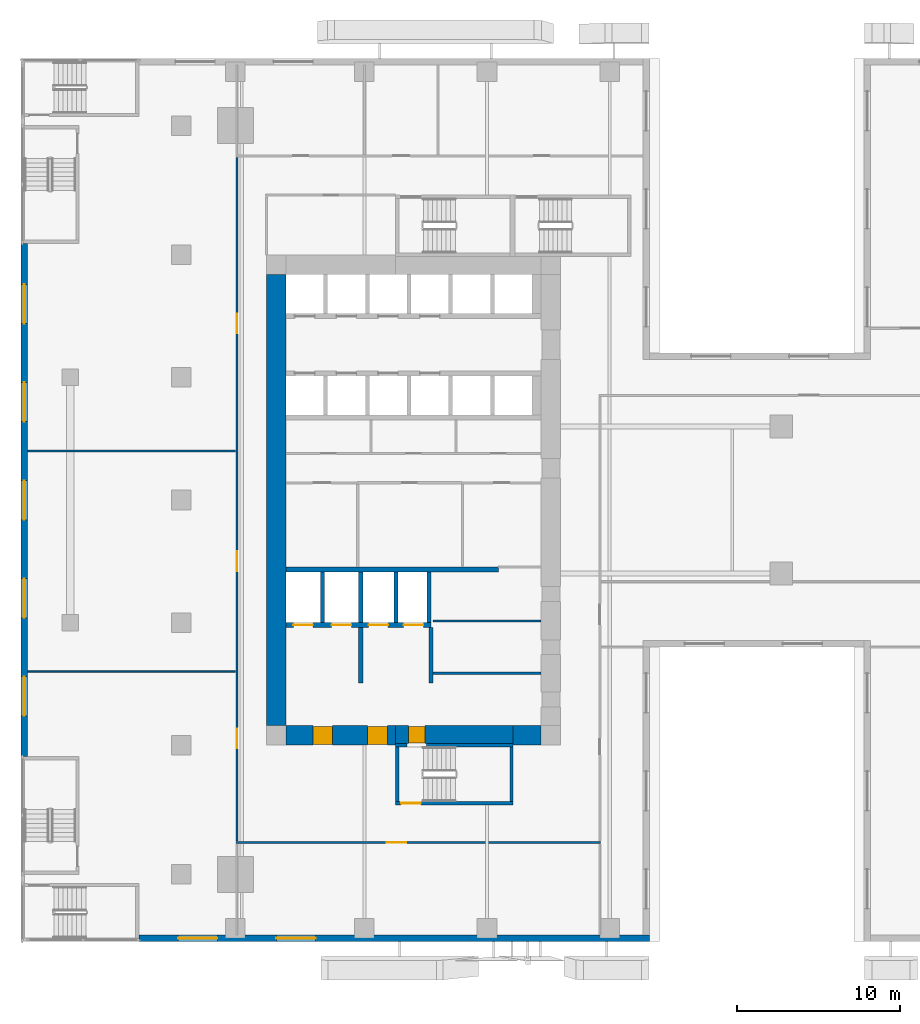
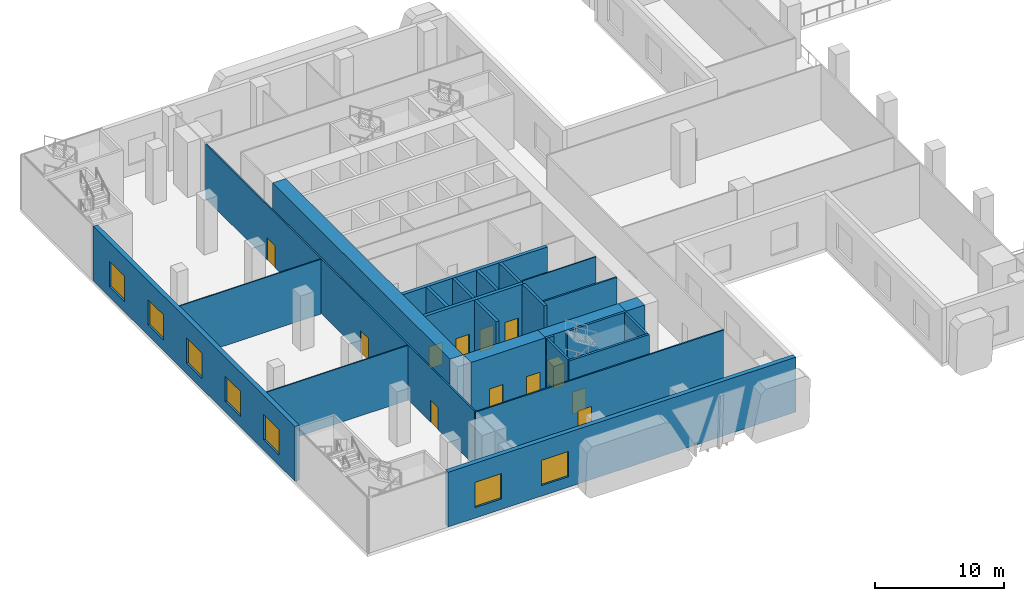
# One storey, part 10 of 23: 25 walls, 12 doors, 7 windows, 19 openings.
"""IFC4 building model written with IfcOpenShell, lengths in metres."""

from ifc_helpers import new_model, si_unit, direction, frame, frame_2d, origin, place, context, subcontext, project, spatial, rectangle, extrude, source, transform, mapped, material, layer, layer_set, type_object, element, fill, save


model = new_model("IFC4")

# Units and contexts
model_context = context("Model", 3, precision=1e-05, world=origin(), true_north=direction((0.0, 1.0)))
body_context = subcontext(model_context, "Body", "Model", "MODEL_VIEW")
ifc_project = project(units=[si_unit("LENGTHUNIT", "METRE"), si_unit("AREAUNIT", "SQUARE_METRE"), si_unit("VOLUMEUNIT", "CUBIC_METRE"), si_unit("PLANEANGLEUNIT", "RADIAN"), si_unit("MASSUNIT", "GRAM", prefix="KILO")], contexts=[model_context])

# Site, building, storey
site_placement = place(None, origin())
site = spatial("IfcSite", under=ifc_project, at=site_placement, CompositionType="ELEMENT")
building_placement = place(site_placement, origin())
building = spatial("IfcBuilding", under=site, at=building_placement, Name="Khomas Fold Tower", CompositionType="ELEMENT")
storey_placement = place(building_placement, frame((0.0, 0.0, 7.5)))
storey = spatial("IfcBuildingStorey", under=building, at=storey_placement, Name="L01", CompositionType="ELEMENT", Elevation=7.5)

# Wall, openings, doors
ifc_material_1 = material(Name="Concrete C70/85", Category="concrete")
ifc_layer_1 = layer(ifc_material_1, 1.199951171875)
ifc_layer_set_1 = layer_set([ifc_layer_1], Name="Concrete C70/85")
wall_type_1 = type_object("IfcWallType", Name="Core wall 1200", PredefinedType="SHEAR", material=ifc_layer_set_1)
shared_shape_1 = source(origin(), body_context, "Body", "SweptSolid", [
    extrude(rectangle(XDim=6.699951171875, YDim=1.199951171875, at=frame_2d((3.35009765625, 0.0))), origin(), (0.0, 0.0, 1.0), 5.199951171875),
])
wall_1_placement = place(storey_placement, frame((7.199951171875, 12.60009765625, 0.0), z_axis=(0.0, 0.0, 1.0), x_axis=(1.0, 0.0, 0.0)))
wall_1 = element("IfcWall", 1, at=wall_1_placement, inside=storey, type_object=wall_type_1, Name="Core wall CW-L-S-B2", PredefinedType="SHEAR", context=body_context, shape_type="MappedRepresentation", body=[
    mapped(shared_shape_1, transform((0.0, 0.0, 0.0))),
])
shared_shape_2 = source(origin(), body_context, "Body", "SweptSolid", [
    extrude(rectangle(XDim=1.199951171875, YDim=2.10009765625, at=frame_2d((0.60009765625, 1.050048828125))), frame((0.0, 0.60986328125, 0.0), z_axis=(0.0, -1.0, 0.0), x_axis=(1.0, 0.0, 0.0)), (0.0, 0.0, 1.0), 1.219970703125),
])
opening_1_placement = place(wall_1_placement, frame((5.0, 0.0, 0.0)))
opening_1 = element("IfcOpeningElement", 2, at=opening_1_placement, cuts=wall_1, Name="Opening 0009", PredefinedType="OPENING", context=body_context, shape_type="MappedRepresentation", body=[
    mapped(shared_shape_2, transform((0.0, 0.0, 0.0))),
])
opening_2_placement = place(wall_1_placement, frame((1.64990234375, 0.0, 0.0)))
opening_2 = element("IfcOpeningElement", 3, at=opening_2_placement, cuts=wall_1, Name="Opening 0009", PredefinedType="OPENING", context=body_context, shape_type="MappedRepresentation", body=[
    mapped(shared_shape_2, transform((0.0, 0.0, 0.0))),
])
ifc_material_2 = material(Name="Steel door leaf", Category="steel")
door_type_1 = type_object("IfcDoorType", Name="Lobby door 1200x2100 right-hand", OperationType="SINGLE_SWING_RIGHT", PredefinedType="DOOR", material=ifc_material_2)
shared_shape_3 = source(origin(), body_context, "Body", "SweptSolid", [
    extrude(rectangle(XDim=1.199951171875, YDim=2.10009765625, at=frame_2d((0.60009765625, 1.050048828125))), frame((0.0, 0.5498046875, 0.0), z_axis=(0.0, -1.0, 0.0), x_axis=(1.0, 0.0, 0.0)), (0.0, 0.0, 1.0), 1.099853515625),
])
door_1_placement = place(opening_1_placement, origin())
door_1 = element("IfcDoor", 4, at=door_1_placement, inside=storey, type_object=door_type_1, Name="Lobby door", OperationType="SINGLE_SWING_RIGHT", OverallHeight=2.10009765625, OverallWidth=1.199951171875, PredefinedType="DOOR", context=body_context, shape_type="MappedRepresentation", body=[
    mapped(shared_shape_3, transform((0.0, 0.0, 0.0))),
])
fill(opening_1, door_1)
door_2_placement = place(opening_2_placement, origin())
door_2 = element("IfcDoor", 5, at=door_2_placement, inside=storey, type_object=door_type_1, Name="Lobby door", OperationType="SINGLE_SWING_RIGHT", OverallHeight=2.10009765625, OverallWidth=1.199951171875, PredefinedType="DOOR", context=body_context, shape_type="MappedRepresentation", body=[
    mapped(shared_shape_3, transform((0.0, 0.0, 0.0))),
])
fill(opening_2, door_2)

# Wall, opening, door
ifc_material_3 = material(Name="Concrete C70/85", Category="concrete")
ifc_layer_2 = layer(ifc_material_3, 1.10009765625)
ifc_layer_set_2 = layer_set([ifc_layer_2], Name="Concrete C70/85")
wall_type_2 = type_object("IfcWallType", Name="Core wall 1100", PredefinedType="SHEAR", material=ifc_layer_set_2)
shared_shape_4 = source(origin(), body_context, "Body", "SweptSolid", [
    extrude(rectangle(XDim=7.2001953125, YDim=1.10009765625, at=frame_2d((3.60009765625, 0.0))), origin(), (0.0, 0.0, 1.0), 5.199951171875),
])
wall_2_placement = place(storey_placement, frame((13.89990234375, 12.64990234375, 0.0), z_axis=(0.0, 0.0, 1.0), x_axis=(1.0, 0.0, 0.0)))
wall_2 = element("IfcWall", 6, at=wall_2_placement, inside=storey, type_object=wall_type_2, Name="Core wall CW-L-S-B2-1", PredefinedType="SHEAR", context=body_context, shape_type="MappedRepresentation", body=[
    mapped(shared_shape_4, transform((0.0, 0.0, 0.0))),
])
shared_shape_5 = source(origin(), body_context, "Body", "SweptSolid", [
    extrude(rectangle(XDim=1.0, YDim=2.10009765625, at=frame_2d((0.5, 1.050048828125))), frame((0.0, 0.56005859375, 0.0), z_axis=(0.0, -1.0, 0.0), x_axis=(1.0, 0.0, 0.0)), (0.0, 0.0, 1.0), 1.1201171875),
])
opening_3_placement = place(wall_2_placement, frame((0.800048828125, 0.0, 0.0)))
opening_3 = element("IfcOpeningElement", 7, at=opening_3_placement, cuts=wall_2, Name="Opening 0010", PredefinedType="OPENING", context=body_context, shape_type="MappedRepresentation", body=[
    mapped(shared_shape_5, transform((0.0, 0.0, 0.0))),
])
ifc_material_4 = material(Name="Steel door leaf", Category="steel")
door_type_2 = type_object("IfcDoorType", Name="Stair door 1000x2100 right-hand", OperationType="SINGLE_SWING_RIGHT", PredefinedType="DOOR", material=ifc_material_4)
shared_shape_6 = source(origin(), body_context, "Body", "SweptSolid", [
    extrude(rectangle(XDim=1.0, YDim=2.10009765625, at=frame_2d((0.5, 1.050048828125))), frame((0.0, 0.5, 0.0), z_axis=(0.0, -1.0, 0.0), x_axis=(1.0, 0.0, 0.0)), (0.0, 0.0, 1.0), 1.0),
])
door_3_placement = place(opening_3_placement, origin())
door_3 = element("IfcDoor", 8, at=door_3_placement, inside=storey, type_object=door_type_2, Name="Stair door", OperationType="SINGLE_SWING_RIGHT", OverallHeight=2.10009765625, OverallWidth=1.0, PredefinedType="DOOR", context=body_context, shape_type="MappedRepresentation", body=[
    mapped(shared_shape_6, transform((0.0, 0.0, 0.0))),
])
fill(opening_3, door_3)

# Walls
shared_shape_7 = source(origin(), body_context, "Body", "SweptSolid", [
    extrude(rectangle(XDim=1.699951171875, YDim=1.199951171875, at=frame_2d((0.85009765625, 0.0))), origin(), (0.0, 0.0, 1.0), 5.199951171875),
])
wall_3_placement = place(storey_placement, frame((21.10009765625, 12.60009765625, 0.0), z_axis=(0.0, 0.0, 1.0), x_axis=(1.0, 0.0, 0.0)))
element("IfcWall", 9, at=wall_3_placement, inside=storey, type_object=wall_type_1, Name="Core wall CW-L-S-B2-2", PredefinedType="SHEAR", context=body_context, shape_type="MappedRepresentation", body=[
    mapped(shared_shape_7, transform((0.0, 0.0, 0.0))),
])
shared_shape_8 = source(origin(), body_context, "Body", "SweptSolid", [
    extrude(rectangle(XDim=27.60009765625, YDim=1.199951171875, at=frame_2d((13.800048828125, 0.0))), origin(), (0.0, 0.0, 1.0), 5.199951171875),
])
wall_4_placement = place(storey_placement, frame((6.60009765625, 13.199951171875, 0.0), z_axis=(0.0, 0.0, 1.0), x_axis=(0.0, 1.0, 0.0)))
element("IfcWall", 10, at=wall_4_placement, inside=storey, type_object=wall_type_1, Name="Core wall CW-L-W-B2", PredefinedType="SHEAR", context=body_context, shape_type="MappedRepresentation", body=[
    mapped(shared_shape_8, transform((0.0, 0.0, 0.0))),
])
ifc_material_5 = material(Name="Concrete C50/60", Category="concrete")
ifc_layer_3 = layer(ifc_material_5, 0.199951171875)
ifc_layer_set_3 = layer_set([ifc_layer_3], Name="Concrete C50/60")
wall_type_3 = type_object("IfcWallType", Name="Stair wall 200", PredefinedType="SHEAR", material=ifc_layer_set_3)
shared_shape_9 = source(origin(), body_context, "Body", "SweptSolid", [
    extrude(rectangle(XDim=0.7001953125, YDim=0.199951171875, at=frame_2d((0.35009765625, 0.0))), origin(), (0.0, 0.0, 1.0), 5.199951171875),
])
wall_5_placement = place(storey_placement, frame((13.89990234375, 12.0, 0.0), z_axis=(0.0, 0.0, 1.0), x_axis=(1.0, 0.0, 0.0)))
element("IfcWall", 11, at=wall_5_placement, inside=storey, type_object=wall_type_3, Name="Stair wall SW-ST2-N", PredefinedType="SHEAR", context=body_context, shape_type="MappedRepresentation", body=[
    mapped(shared_shape_9, transform((0.0, 0.0, 0.0))),
])
shared_shape_10 = source(origin(), body_context, "Body", "SweptSolid", [
    extrude(rectangle(XDim=5.300048828125, YDim=0.199951171875, at=frame_2d((2.64990234375, 0.0))), origin(), (0.0, 0.0, 1.0), 5.199951171875),
])
wall_6_placement = place(storey_placement, frame((15.800048828125, 12.0, 0.0), z_axis=(0.0, 0.0, 1.0), x_axis=(1.0, 0.0, 0.0)))
element("IfcWall", 12, at=wall_6_placement, inside=storey, type_object=wall_type_3, Name="Stair wall SW-ST2-NB", PredefinedType="SHEAR", context=body_context, shape_type="MappedRepresentation", body=[
    mapped(shared_shape_10, transform((0.0, 0.0, 0.0))),
])

# Wall, opening, door
shared_shape_11 = source(origin(), body_context, "Body", "SweptSolid", [
    extrude(rectangle(XDim=7.2001953125, YDim=0.199951171875, at=frame_2d((3.60009765625, 0.0))), origin(), (0.0, 0.0, 1.0), 5.199951171875),
])
wall_7_placement = place(storey_placement, frame((13.89990234375, 8.449951171875, 0.0), z_axis=(0.0, 0.0, 1.0), x_axis=(1.0, 0.0, 0.0)))
wall_7 = element("IfcWall", 13, at=wall_7_placement, inside=storey, type_object=wall_type_3, Name="Stair wall SW-ST2-S", PredefinedType="SHEAR", context=body_context, shape_type="MappedRepresentation", body=[
    mapped(shared_shape_11, transform((0.0, 0.0, 0.0))),
])
shared_shape_12 = source(origin(), body_context, "Body", "SweptSolid", [
    extrude(rectangle(XDim=1.199951171875, YDim=2.10009765625, at=frame_2d((0.60009765625, 1.050048828125))), frame((0.0, 0.10986328125, 0.0), z_axis=(0.0, -1.0, 0.0), x_axis=(1.0, 0.0, 0.0)), (0.0, 0.0, 1.0), 0.219970703125),
])
opening_4_placement = place(wall_7_placement, frame((0.35009765625, 0.0, 0.0)))
opening_4 = element("IfcOpeningElement", 14, at=opening_4_placement, cuts=wall_7, Name="Opening SD-ST2", PredefinedType="OPENING", context=body_context, shape_type="MappedRepresentation", body=[
    mapped(shared_shape_12, transform((0.0, 0.0, 0.0))),
])
ifc_material_6 = material(Name="Steel door leaf", Category="steel")
door_type_3 = type_object("IfcDoorType", Name="Stair door 1200x2100 right-hand", OperationType="SINGLE_SWING_RIGHT", PredefinedType="DOOR", material=ifc_material_6)
shared_shape_13 = source(origin(), body_context, "Body", "SweptSolid", [
    extrude(rectangle(XDim=1.199951171875, YDim=2.10009765625, at=frame_2d((0.60009765625, 1.050048828125))), frame((0.0, 0.02490234375, 0.0), z_axis=(0.0, -1.0, 0.0), x_axis=(1.0, 0.0, 0.0)), (0.0, 0.0, 1.0), 0.050048828125),
])
door_4_placement = place(opening_4_placement, origin())
door_4 = element("IfcDoor", 15, at=door_4_placement, inside=storey, type_object=door_type_3, Name="Stair door", OperationType="SINGLE_SWING_RIGHT", OverallHeight=2.10009765625, OverallWidth=1.199951171875, PredefinedType="DOOR", context=body_context, shape_type="MappedRepresentation", body=[
    mapped(shared_shape_13, transform((0.0, 0.0, 0.0))),
])
fill(opening_4, door_4)

# Walls
shared_shape_14 = source(origin(), body_context, "Body", "SweptSolid", [
    extrude(rectangle(XDim=3.349853515625, YDim=0.199951171875, at=frame_2d((1.6748046875, 0.0))), origin(), (0.0, 0.0, 1.0), 5.199951171875),
])
for number, where, z_axis, x_axis, name in (
    (16, (21.0, 8.550048828125, 0.0), (0.0, 0.0, 1.0), (0.0, 1.0, 0.0), "Stair wall SW-ST2-E"),
    (17, (14.0, 8.550048828125, 0.0), (0.0, 0.0, 1.0), (0.0, 1.0, 0.0), "Stair wall SW-ST2-W"),
):
    element("IfcWall", number, at=place(storey_placement, frame(where, z_axis=z_axis, x_axis=x_axis)), inside=storey, type_object=wall_type_3, Name=name, PredefinedType="SHEAR", context=body_context, shape_type="MappedRepresentation", body=[
        mapped(shared_shape_14, transform((0.0, 0.0, 0.0))),
    ])
ifc_material_7 = material(Name="Concrete C50/60", Category="concrete")
ifc_layer_4 = layer(ifc_material_7, 0.300048828125)
ifc_layer_set_4 = layer_set([ifc_layer_4], Name="Concrete C50/60")
wall_type_4 = type_object("IfcWallType", Name="Shaft wall 300", PredefinedType="STANDARD", material=ifc_layer_set_4)
shared_shape_15 = source(origin(), body_context, "Body", "SweptSolid", [
    extrude(rectangle(XDim=13.0, YDim=0.300048828125, at=frame_2d((6.5, 0.0))), origin(), (0.0, 0.0, 1.0), 5.199951171875),
])
wall_8_placement = place(storey_placement, frame((7.199951171875, 22.75, 0.0), z_axis=(0.0, 0.0, 1.0), x_axis=(1.0, 0.0, 0.0)))
element("IfcWall", 18, at=wall_8_placement, inside=storey, type_object=wall_type_4, Name="Core wall SW-FS-B", PredefinedType="STANDARD", context=body_context, shape_type="MappedRepresentation", body=[
    mapped(shared_shape_15, transform((0.0, 0.0, 0.0))),
])

# Wall, openings, doors
shared_shape_16 = source(origin(), body_context, "Body", "SweptSolid", [
    extrude(rectangle(XDim=8.875, YDim=0.300048828125, at=frame_2d((4.4375, 0.0))), origin(), (0.0, 0.0, 1.0), 5.199951171875),
])
wall_9_placement = place(storey_placement, frame((7.199951171875, 19.35009765625, 0.0), z_axis=(0.0, 0.0, 1.0), x_axis=(1.0, 0.0, 0.0)))
wall_9 = element("IfcWall", 19, at=wall_9_placement, inside=storey, type_object=wall_type_4, Name="Core wall SW-FS-F", PredefinedType="STANDARD", context=body_context, shape_type="MappedRepresentation", body=[
    mapped(shared_shape_16, transform((0.0, 0.0, 0.0))),
])
shared_shape_17 = source(origin(), body_context, "Body", "SweptSolid", [
    extrude(rectangle(XDim=1.199951171875, YDim=2.10009765625, at=frame_2d((0.60009765625, 1.050048828125))), frame((0.0, 0.159912109375, 0.0), z_axis=(0.0, -1.0, 0.0), x_axis=(1.0, 0.0, 0.0)), (0.0, 0.0, 1.0), 0.320068359375),
])
opening_5_placement = place(wall_9_placement, frame((0.449951171875, 0.0, 0.0)))
opening_5 = element("IfcOpeningElement", 20, at=opening_5_placement, cuts=wall_9, Name="Opening LD-SV1", PredefinedType="OPENING", context=body_context, shape_type="MappedRepresentation", body=[
    mapped(shared_shape_17, transform((0.0, 0.0, 0.0))),
])
opening_6_placement = place(wall_9_placement, frame((2.800048828125, 0.0, 0.0)))
opening_6 = element("IfcOpeningElement", 21, at=opening_6_placement, cuts=wall_9, Name="Opening LD-SV2", PredefinedType="OPENING", context=body_context, shape_type="MappedRepresentation", body=[
    mapped(shared_shape_17, transform((0.0, 0.0, 0.0))),
])
opening_7_placement = place(wall_9_placement, frame((5.050048828125, 0.0, 0.0)))
opening_7 = element("IfcOpeningElement", 22, at=opening_7_placement, cuts=wall_9, Name="Opening LD-FF1", PredefinedType="OPENING", context=body_context, shape_type="MappedRepresentation", body=[
    mapped(shared_shape_17, transform((0.0, 0.0, 0.0))),
])
opening_8_placement = place(wall_9_placement, frame((7.199951171875, 0.0, 0.0)))
opening_8 = element("IfcOpeningElement", 23, at=opening_8_placement, cuts=wall_9, Name="Opening LD-FF2", PredefinedType="OPENING", context=body_context, shape_type="MappedRepresentation", body=[
    mapped(shared_shape_17, transform((0.0, 0.0, 0.0))),
])
ifc_material_8 = material(Name="Steel door leaf", Category="steel")
door_type_4 = type_object("IfcDoorType", Name="Landing door 1200x2100", OperationType="DOUBLE_DOOR_SLIDING", PredefinedType="DOOR", material=ifc_material_8)
door_5_placement = place(opening_5_placement, origin())
door_5 = element("IfcDoor", 24, at=door_5_placement, inside=storey, type_object=door_type_4, Name="Lift landing door", OperationType="DOUBLE_DOOR_SLIDING", OverallHeight=2.10009765625, OverallWidth=1.199951171875, PredefinedType="DOOR", context=body_context, shape_type="MappedRepresentation", body=[
    mapped(shared_shape_13, transform((0.0, 0.0, 0.0))),
])
fill(opening_5, door_5)
door_6_placement = place(opening_6_placement, origin())
door_6 = element("IfcDoor", 25, at=door_6_placement, inside=storey, type_object=door_type_4, Name="Lift landing door", OperationType="DOUBLE_DOOR_SLIDING", OverallHeight=2.10009765625, OverallWidth=1.199951171875, PredefinedType="DOOR", context=body_context, shape_type="MappedRepresentation", body=[
    mapped(shared_shape_13, transform((0.0, 0.0, 0.0))),
])
fill(opening_6, door_6)
door_7_placement = place(opening_7_placement, origin())
door_7 = element("IfcDoor", 26, at=door_7_placement, inside=storey, type_object=door_type_4, Name="Lift landing door", OperationType="DOUBLE_DOOR_SLIDING", OverallHeight=2.10009765625, OverallWidth=1.199951171875, PredefinedType="DOOR", context=body_context, shape_type="MappedRepresentation", body=[
    mapped(shared_shape_13, transform((0.0, 0.0, 0.0))),
])
fill(opening_7, door_7)
door_8_placement = place(opening_8_placement, origin())
door_8 = element("IfcDoor", 27, at=door_8_placement, inside=storey, type_object=door_type_4, Name="Lift landing door", OperationType="DOUBLE_DOOR_SLIDING", OverallHeight=2.10009765625, OverallWidth=1.199951171875, PredefinedType="DOOR", context=body_context, shape_type="MappedRepresentation", body=[
    mapped(shared_shape_13, transform((0.0, 0.0, 0.0))),
])
fill(opening_8, door_8)

# Walls
ifc_material_9 = material(Name="Concrete C50/60", Category="concrete")
ifc_layer_5 = layer(ifc_material_9, 0.25)
ifc_layer_set_5 = layer_set([ifc_layer_5], Name="Concrete C50/60")
wall_type_5 = type_object("IfcWallType", Name="Shaft wall 250", PredefinedType="STANDARD", material=ifc_layer_set_5)
shared_shape_18 = source(origin(), body_context, "Body", "SweptSolid", [
    extrude(rectangle(XDim=3.10009765625, YDim=0.25, at=frame_2d((1.550048828125, 0.0))), origin(), (0.0, 0.0, 1.0), 5.199951171875),
])
for number, where, z_axis, x_axis, name in (
    (28, (9.425048828125, 19.5, 0.0), (0.0, 0.0, 1.0), (0.0, 1.0, 0.0), "Core wall SW-FS-P1"),
    (29, (11.77490234375, 19.5, 0.0), (0.0, 0.0, 1.0), (0.0, 1.0, 0.0), "Core wall SW-FS-P2"),
    (30, (13.925048828125, 19.5, 0.0), (0.0, 0.0, 1.0), (0.0, 1.0, 0.0), "Core wall SW-FS-P3"),
    (31, (15.949951171875, 19.5, 0.0), (0.0, 0.0, 1.0), (0.0, 1.0, 0.0), "Core wall SW-FS-PE"),
):
    element("IfcWall", number, at=place(storey_placement, frame(where, z_axis=z_axis, x_axis=x_axis)), inside=storey, type_object=wall_type_5, Name=name, PredefinedType="STANDARD", context=body_context, shape_type="MappedRepresentation", body=[
        mapped(shared_shape_18, transform((0.0, 0.0, 0.0))),
    ])
ifc_material_10 = material(Name="Concrete C50/60", Category="concrete")
ifc_layer_6 = layer(ifc_material_10, 0.25)
ifc_layer_set_6 = layer_set([ifc_layer_6], Name="Concrete C50/60")
wall_type_6 = type_object("IfcWallType", Name="Lobby wall 250", PredefinedType="STANDARD", material=ifc_layer_set_6)
shared_shape_19 = source(origin(), body_context, "Body", "SweptSolid", [
    extrude(rectangle(XDim=3.39990234375, YDim=0.25, at=frame_2d((1.699951171875, 0.0))), origin(), (0.0, 0.0, 1.0), 5.199951171875),
])
for number, where, z_axis, x_axis, name in (
    (32, (16.074951171875, 15.800048828125, 0.0), (0.0, 0.0, 1.0), (0.0, 1.0, 0.0), "Core wall SW-FS-LOB-E"),
    (33, (11.77490234375, 15.800048828125, 0.0), (0.0, 0.0, 1.0), (0.0, 1.0, 0.0), "Core wall SW-FS-SEP"),
):
    element("IfcWall", number, at=place(storey_placement, frame(where, z_axis=z_axis, x_axis=x_axis)), inside=storey, type_object=wall_type_6, Name=name, PredefinedType="STANDARD", context=body_context, shape_type="MappedRepresentation", body=[
        mapped(shared_shape_19, transform((0.0, 0.0, 0.0))),
    ])

# Wall, openings, windows
ifc_material_11 = material(Name="Concrete C40/50", Category="concrete")
ifc_layer_7 = layer(ifc_material_11, 0.39990234375)
ifc_layer_set_7 = layer_set([ifc_layer_7], Name="Concrete C40/50")
wall_type_7 = type_object("IfcWallType", Name="Stone-clad concrete wall 400", PredefinedType="SOLIDWALL", material=ifc_layer_set_7)
shared_shape_20 = source(origin(), body_context, "Body", "SweptSolid", [
    extrude(rectangle(XDim=31.3798828125, YDim=0.39990234375, at=frame_2d((15.68994140625, 0.0))), origin(), (0.0, 0.0, 1.0), 5.199951171875),
])
wall_10_placement = place(storey_placement, frame((-8.800048828125, 42.68994140625, 0.0), z_axis=(0.0, 0.0, 1.0), x_axis=(0.0, -1.0, 0.0)))
wall_10 = element("IfcWall", 34, at=wall_10_placement, inside=storey, type_object=wall_type_7, Name="Podium wall", PredefinedType="SOLIDWALL", context=body_context, shape_type="MappedRepresentation", body=[
    mapped(shared_shape_20, transform((0.0, 0.0, 0.0))),
])
shared_shape_21 = source(origin(), body_context, "Body", "SweptSolid", [
    extrude(rectangle(XDim=2.39990234375, YDim=2.39990234375, at=frame_2d((1.199951171875, 1.199951171875))), frame((0.0, 0.2099609375, 0.0), z_axis=(0.0, -1.0, 0.0), x_axis=(1.0, 0.0, 0.0)), (0.0, 0.0, 1.0), 0.419921875),
])
opening_9_placement = place(wall_10_placement, frame((2.5, 0.0, 1.0)))
opening_9 = element("IfcOpeningElement", 35, at=opening_9_placement, cuts=wall_10, Name="Opening PD-WN", PredefinedType="OPENING", context=body_context, shape_type="MappedRepresentation", body=[
    mapped(shared_shape_21, transform((0.0, 0.0, 0.0))),
])
opening_10_placement = place(wall_10_placement, frame((8.5, 0.0, 1.0)))
opening_10 = element("IfcOpeningElement", 36, at=opening_10_placement, cuts=wall_10, Name="Opening PD-WN", PredefinedType="OPENING", context=body_context, shape_type="MappedRepresentation", body=[
    mapped(shared_shape_21, transform((0.0, 0.0, 0.0))),
])
opening_11_placement = place(wall_10_placement, frame((14.5, 0.0, 1.0)))
opening_11 = element("IfcOpeningElement", 37, at=opening_11_placement, cuts=wall_10, Name="Opening PD-WN", PredefinedType="OPENING", context=body_context, shape_type="MappedRepresentation", body=[
    mapped(shared_shape_21, transform((0.0, 0.0, 0.0))),
])
opening_12_placement = place(wall_10_placement, frame((20.5, 0.0, 1.0)))
opening_12 = element("IfcOpeningElement", 38, at=opening_12_placement, cuts=wall_10, Name="Opening PD-WN", PredefinedType="OPENING", context=body_context, shape_type="MappedRepresentation", body=[
    mapped(shared_shape_21, transform((0.0, 0.0, 0.0))),
])
opening_13_placement = place(wall_10_placement, frame((26.5, 0.0, 1.0)))
opening_13 = element("IfcOpeningElement", 39, at=opening_13_placement, cuts=wall_10, Name="Opening PD-WN", PredefinedType="OPENING", context=body_context, shape_type="MappedRepresentation", body=[
    mapped(shared_shape_21, transform((0.0, 0.0, 0.0))),
])
ifc_material_12 = material(Name="Aluminium framed double glazing", Category="aluminium")
window_type = type_object("IfcWindowType", Name="Podium window 2400 x 2400", PartitioningType="SINGLE_PANEL", PredefinedType="WINDOW", material=ifc_material_12)
shared_shape_22 = source(origin(), body_context, "Body", "SweptSolid", [
    extrude(rectangle(XDim=2.39990234375, YDim=2.39990234375, at=frame_2d((1.199951171875, 1.199951171875))), frame((0.0, 0.030029296875, 0.0), z_axis=(0.0, -1.0, 0.0), x_axis=(1.0, 0.0, 0.0)), (0.0, 0.0, 1.0), 0.06005859375),
])
window_1_placement = place(opening_9_placement, origin())
window_1 = element("IfcWindow", 40, at=window_1_placement, inside=storey, type_object=window_type, Name="Podium window", OverallHeight=2.39990234375, OverallWidth=2.39990234375, PartitioningType="SINGLE_PANEL", PredefinedType="WINDOW", context=body_context, shape_type="MappedRepresentation", body=[
    mapped(shared_shape_22, transform((0.0, 0.0, 0.0))),
])
fill(opening_9, window_1)
window_2_placement = place(opening_10_placement, origin())
window_2 = element("IfcWindow", 41, at=window_2_placement, inside=storey, type_object=window_type, Name="Podium window", OverallHeight=2.39990234375, OverallWidth=2.39990234375, PartitioningType="SINGLE_PANEL", PredefinedType="WINDOW", context=body_context, shape_type="MappedRepresentation", body=[
    mapped(shared_shape_22, transform((0.0, 0.0, 0.0))),
])
fill(opening_10, window_2)
window_3_placement = place(opening_11_placement, origin())
window_3 = element("IfcWindow", 42, at=window_3_placement, inside=storey, type_object=window_type, Name="Podium window", OverallHeight=2.39990234375, OverallWidth=2.39990234375, PartitioningType="SINGLE_PANEL", PredefinedType="WINDOW", context=body_context, shape_type="MappedRepresentation", body=[
    mapped(shared_shape_22, transform((0.0, 0.0, 0.0))),
])
fill(opening_11, window_3)
window_4_placement = place(opening_12_placement, origin())
window_4 = element("IfcWindow", 43, at=window_4_placement, inside=storey, type_object=window_type, Name="Podium window", OverallHeight=2.39990234375, OverallWidth=2.39990234375, PartitioningType="SINGLE_PANEL", PredefinedType="WINDOW", context=body_context, shape_type="MappedRepresentation", body=[
    mapped(shared_shape_22, transform((0.0, 0.0, 0.0))),
])
fill(opening_12, window_4)
window_5_placement = place(opening_13_placement, origin())
window_5 = element("IfcWindow", 44, at=window_5_placement, inside=storey, type_object=window_type, Name="Podium window", OverallHeight=2.39990234375, OverallWidth=2.39990234375, PartitioningType="SINGLE_PANEL", PredefinedType="WINDOW", context=body_context, shape_type="MappedRepresentation", body=[
    mapped(shared_shape_22, transform((0.0, 0.0, 0.0))),
])
fill(opening_13, window_5)

shared_shape_23 = source(origin(), body_context, "Body", "SweptSolid", [
    extrude(rectangle(XDim=31.239990234375, YDim=0.39990234375, at=frame_2d((15.6201171875, 0.0))), origin(), (0.0, 0.0, 1.0), 5.199951171875),
])
wall_11_placement = place(storey_placement, frame((-1.7900390625, 0.199951171875, 0.0), z_axis=(0.0, 0.0, 1.0), x_axis=(1.0, 0.0, 0.0)))
wall_11 = element("IfcWall", 45, at=wall_11_placement, inside=storey, type_object=wall_type_7, Name="Podium wall", PredefinedType="SOLIDWALL", context=body_context, shape_type="MappedRepresentation", body=[
    mapped(shared_shape_23, transform((0.0, 0.0, 0.0))),
])
opening_14_placement = place(wall_11_placement, frame((2.39990234375, 0.0, 1.0)))
opening_14 = element("IfcOpeningElement", 46, at=opening_14_placement, cuts=wall_11, Name="Opening PD-WN", PredefinedType="OPENING", context=body_context, shape_type="MappedRepresentation", body=[
    mapped(shared_shape_21, transform((0.0, 0.0, 0.0))),
])
opening_15_placement = place(wall_11_placement, frame((8.39990234375, 0.0, 1.0)))
opening_15 = element("IfcOpeningElement", 47, at=opening_15_placement, cuts=wall_11, Name="Opening PD-WN", PredefinedType="OPENING", context=body_context, shape_type="MappedRepresentation", body=[
    mapped(shared_shape_21, transform((0.0, 0.0, 0.0))),
])
window_6_placement = place(opening_14_placement, origin())
window_6 = element("IfcWindow", 48, at=window_6_placement, inside=storey, type_object=window_type, Name="Podium window", OverallHeight=2.39990234375, OverallWidth=2.39990234375, PartitioningType="SINGLE_PANEL", PredefinedType="WINDOW", context=body_context, shape_type="MappedRepresentation", body=[
    mapped(shared_shape_22, transform((0.0, 0.0, 0.0))),
])
fill(opening_14, window_6)
window_7_placement = place(opening_15_placement, origin())
window_7 = element("IfcWindow", 49, at=window_7_placement, inside=storey, type_object=window_type, Name="Podium window", OverallHeight=2.39990234375, OverallWidth=2.39990234375, PartitioningType="SINGLE_PANEL", PredefinedType="WINDOW", context=body_context, shape_type="MappedRepresentation", body=[
    mapped(shared_shape_22, transform((0.0, 0.0, 0.0))),
])
fill(opening_15, window_7)

# Wall, opening, door
ifc_material_13 = material(Name="Plasterboard partition")
ifc_layer_8 = layer(ifc_material_13, 0.125)
ifc_layer_set_8 = layer_set([ifc_layer_8], Name="Plasterboard partition")
wall_type_8 = type_object("IfcWallType", Name="Partition PW2 125", PredefinedType="PARTITIONING", material=ifc_layer_set_8)
shared_shape_24 = source(origin(), body_context, "Body", "SweptSolid", [
    extrude(rectangle(XDim=22.300048828125, YDim=0.125, at=frame_2d((11.14990234375, 0.0))), origin(), (0.0, 0.0, 1.0), 5.199951171875),
])
wall_12_placement = place(storey_placement, frame((4.14990234375, 6.050048828125, 0.0), z_axis=(0.0, 0.0, 1.0), x_axis=(1.0, 0.0, 0.0)))
wall_12 = element("IfcWall", 50, at=wall_12_placement, inside=storey, type_object=wall_type_8, Name="Partition", PredefinedType="PARTITIONING", context=body_context, shape_type="MappedRepresentation", body=[
    mapped(shared_shape_24, transform((0.0, 0.0, 0.0))),
])
shared_shape_25 = source(origin(), body_context, "Body", "SweptSolid", [
    extrude(rectangle(XDim=1.199951171875, YDim=2.10009765625, at=frame_2d((0.60009765625, 1.050048828125))), frame((0.0, 0.072509765625, 0.0), z_axis=(0.0, -1.0, 0.0), x_axis=(1.0, 0.0, 0.0)), (0.0, 0.0, 1.0), 0.14501953125),
])
opening_16_placement = place(wall_12_placement, frame((9.199951171875, 0.0, 0.0)))
opening_16 = element("IfcOpeningElement", 51, at=opening_16_placement, cuts=wall_12, Name="Opening 0013", PredefinedType="OPENING", context=body_context, shape_type="MappedRepresentation", body=[
    mapped(shared_shape_25, transform((0.0, 0.0, 0.0))),
])
ifc_material_14 = material(Name="Timber door leaf", Category="wood")
door_type_5 = type_object("IfcDoorType", Name="Door 1200x2100 left-hand", OperationType="SINGLE_SWING_LEFT", PredefinedType="DOOR", material=ifc_material_14)
door_9_placement = place(opening_16_placement, origin())
door_9 = element("IfcDoor", 52, at=door_9_placement, inside=storey, type_object=door_type_5, Name="Door", OperationType="SINGLE_SWING_LEFT", OverallHeight=2.10009765625, OverallWidth=1.199951171875, PredefinedType="DOOR", context=body_context, shape_type="MappedRepresentation", body=[
    mapped(shared_shape_13, transform((0.0, 0.0, 0.0))),
])
fill(opening_16, door_9)

# Wall, openings, doors
shared_shape_26 = source(origin(), body_context, "Body", "SweptSolid", [
    extrude(rectangle(XDim=41.800048828125, YDim=0.125, at=frame_2d((20.89990234375, 0.0))), origin(), (0.0, 0.0, 1.0), 5.199951171875),
])
wall_13_placement = place(storey_placement, frame((4.199951171875, 6.14990234375, 0.0), z_axis=(0.0, 0.0, 1.0), x_axis=(0.0, 1.0, 0.0)))
wall_13 = element("IfcWall", 53, at=wall_13_placement, inside=storey, type_object=wall_type_8, Name="Partition", PredefinedType="PARTITIONING", context=body_context, shape_type="MappedRepresentation", body=[
    mapped(shared_shape_26, transform((0.0, 0.0, 0.0))),
])
opening_17_placement = place(wall_13_placement, frame((5.64990234375, 0.0, 0.0)))
opening_17 = element("IfcOpeningElement", 54, at=opening_17_placement, cuts=wall_13, Name="Opening 0013", PredefinedType="OPENING", context=body_context, shape_type="MappedRepresentation", body=[
    mapped(shared_shape_25, transform((0.0, 0.0, 0.0))),
])
opening_18_placement = place(wall_13_placement, frame((16.5, 0.0, 0.0)))
opening_18 = element("IfcOpeningElement", 55, at=opening_18_placement, cuts=wall_13, Name="Opening 0001", PredefinedType="OPENING", context=body_context, shape_type="MappedRepresentation", body=[
    mapped(shared_shape_25, transform((0.0, 0.0, 0.0))),
])
opening_19_placement = place(wall_13_placement, frame((31.050048828125, 0.0, 0.0)))
opening_19 = element("IfcOpeningElement", 56, at=opening_19_placement, cuts=wall_13, Name="Opening 0001", PredefinedType="OPENING", context=body_context, shape_type="MappedRepresentation", body=[
    mapped(shared_shape_25, transform((0.0, 0.0, 0.0))),
])
door_10_placement = place(opening_17_placement, origin())
door_10 = element("IfcDoor", 57, at=door_10_placement, inside=storey, type_object=door_type_5, Name="Door", OperationType="SINGLE_SWING_LEFT", OverallHeight=2.10009765625, OverallWidth=1.199951171875, PredefinedType="DOOR", context=body_context, shape_type="MappedRepresentation", body=[
    mapped(shared_shape_13, transform((0.0, 0.0, 0.0))),
])
fill(opening_17, door_10)
ifc_material_15 = material(Name="Timber door leaf", Category="wood")
door_type_6 = type_object("IfcDoorType", Name="Door 1200x2100 right-hand", OperationType="SINGLE_SWING_RIGHT", PredefinedType="DOOR", material=ifc_material_15)
door_11_placement = place(opening_18_placement, origin())
door_11 = element("IfcDoor", 58, at=door_11_placement, inside=storey, type_object=door_type_6, Name="Door", OperationType="SINGLE_SWING_RIGHT", OverallHeight=2.10009765625, OverallWidth=1.199951171875, PredefinedType="DOOR", context=body_context, shape_type="MappedRepresentation", body=[
    mapped(shared_shape_13, transform((0.0, 0.0, 0.0))),
])
fill(opening_18, door_11)
door_12_placement = place(opening_19_placement, origin())
door_12 = element("IfcDoor", 59, at=door_12_placement, inside=storey, type_object=door_type_6, Name="Door", OperationType="SINGLE_SWING_RIGHT", OverallHeight=2.10009765625, OverallWidth=1.199951171875, PredefinedType="DOOR", context=body_context, shape_type="MappedRepresentation", body=[
    mapped(shared_shape_13, transform((0.0, 0.0, 0.0))),
])
fill(opening_19, door_12)

# Walls
ifc_material_16 = material(Name="Plasterboard fire partition")
ifc_layer_9 = layer(ifc_material_16, 0.14990234375)
ifc_layer_set_9 = layer_set([ifc_layer_9], Name="Plasterboard fire partition")
wall_type_9 = type_object("IfcWallType", Name="Plant room wall PW3 150", PredefinedType="PARTITIONING", material=ifc_layer_set_9)
shared_shape_27 = source(origin(), body_context, "Body", "SweptSolid", [
    extrude(rectangle(XDim=6.60009765625, YDim=0.14990234375, at=frame_2d((3.300048828125, 0.0))), origin(), (0.0, 0.0, 1.0), 5.199951171875),
])
wall_14_placement = place(storey_placement, frame((16.199951171875, 16.39990234375, 0.0), z_axis=(0.0, 0.0, 1.0), x_axis=(1.0, 0.0, 0.0)))
element("IfcWall", 60, at=wall_14_placement, inside=storey, type_object=wall_type_9, Name="Plant room wall", PredefinedType="PARTITIONING", context=body_context, shape_type="MappedRepresentation", body=[
    mapped(shared_shape_27, transform((0.0, 0.0, 0.0))),
])
ifc_material_17 = material(Name="Plasterboard partition")
ifc_layer_10 = layer(ifc_material_17, 0.10009765625)
ifc_layer_set_10 = layer_set([ifc_layer_10], Name="Plasterboard partition")
wall_type_10 = type_object("IfcWallType", Name="Partition PW1 100", PredefinedType="PARTITIONING", material=ifc_layer_set_10)
shared_shape_28 = source(origin(), body_context, "Body", "SweptSolid", [
    extrude(rectangle(XDim=12.7001953125, YDim=0.10009765625, at=frame_2d((6.35009765625, 0.0))), origin(), (0.0, 0.0, 1.0), 5.199951171875),
])
for number, where, z_axis, x_axis, name in (
    (61, (-8.60009765625, 16.5, 0.0), (0.0, 0.0, 1.0), (1.0, 0.0, 0.0), "Partition"),
    (62, (-8.60009765625, 30.0, 0.0), (0.0, 0.0, 1.0), (1.0, 0.0, 0.0), "Partition"),
):
    element("IfcWall", number, at=place(storey_placement, frame(where, z_axis=z_axis, x_axis=x_axis)), inside=storey, type_object=wall_type_10, Name=name, PredefinedType="PARTITIONING", context=body_context, shape_type="MappedRepresentation", body=[
        mapped(shared_shape_28, transform((0.0, 0.0, 0.0))),
    ])
shared_shape_29 = source(origin(), body_context, "Body", "SweptSolid", [
    extrude(rectangle(XDim=6.60009765625, YDim=0.10009765625, at=frame_2d((3.300048828125, 0.0))), origin(), (0.0, 0.0, 1.0), 5.199951171875),
])
wall_15_placement = place(storey_placement, frame((16.199951171875, 19.60009765625, 0.0), z_axis=(0.0, 0.0, 1.0), x_axis=(1.0, 0.0, 0.0)))
element("IfcWall", 63, at=wall_15_placement, inside=storey, type_object=wall_type_10, Name="Partition", PredefinedType="PARTITIONING", context=body_context, shape_type="MappedRepresentation", body=[
    mapped(shared_shape_29, transform((0.0, 0.0, 0.0))),
])

save(model, "model.ifc")
